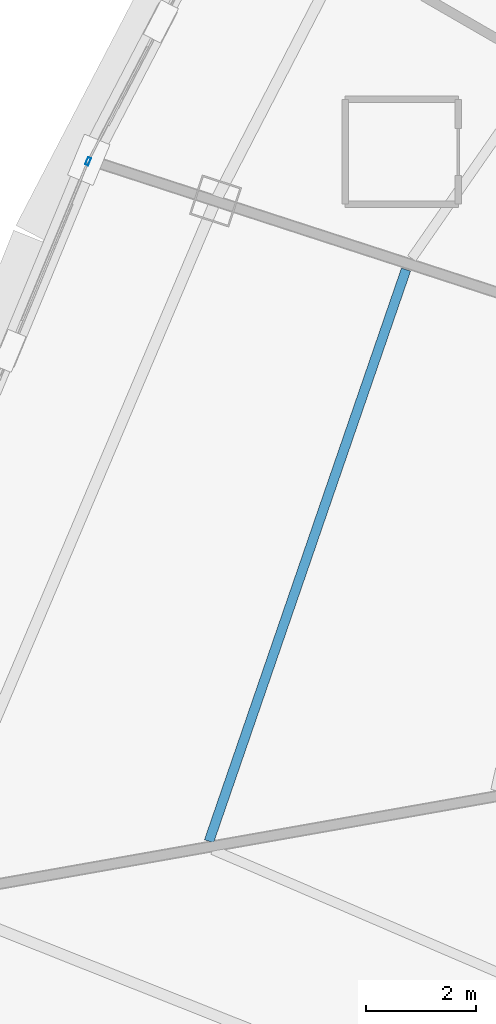
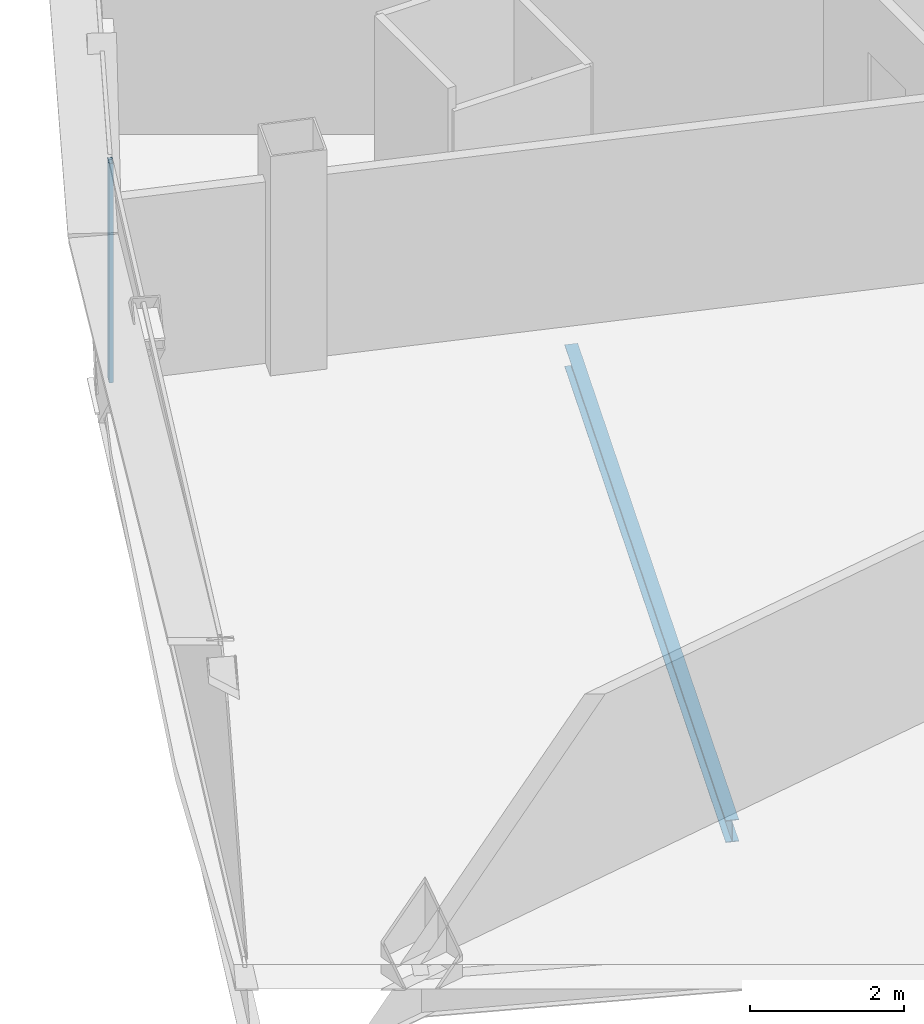
# One storey, part 8 of 40: 1 beam, 1 member, 1 element without a shape of its own.
"""IFC4 building model written with IfcOpenShell, lengths in metres."""

from ifc_helpers import new_model, si_unit, direction, frame, origin, origin_2d, place, context, subcontext, project, spatial, hollow_rectangle, i_section, extrude, source, transform, mapped, material, layer, layer_set, material_profile, profile_set, type_object, element, aggregate, save


model = new_model("IFC4")

# Units and contexts
model_context = context("Model", 3, precision=1e-05, world=origin(), true_north=direction((0.0, 1.0)))
body_context = subcontext(model_context, "Body", "Model", "MODEL_VIEW")
ifc_project = project(units=[si_unit("LENGTHUNIT", "METRE"), si_unit("AREAUNIT", "SQUARE_METRE"), si_unit("VOLUMEUNIT", "CUBIC_METRE"), si_unit("PLANEANGLEUNIT", "RADIAN"), si_unit("MASSUNIT", "GRAM", prefix="KILO"), si_unit("THERMODYNAMICTEMPERATUREUNIT", "KELVIN"), si_unit("POWERUNIT", "WATT")], contexts=[model_context])

# Site, building, storey
site_placement = place(None, origin())
site = spatial("IfcSite", under=ifc_project, at=site_placement, CompositionType="ELEMENT")
building_placement = place(site_placement, origin())
building = spatial("IfcBuilding", under=site, at=building_placement, Name="Yunzhuo Pagoda Commons", CompositionType="ELEMENT")
storey_placement = place(building_placement, frame((0.0, 0.0, 288.75)))
storey = spatial("IfcBuildingStorey", under=building, at=storey_placement, Name="L72", CompositionType="ELEMENT", Elevation=288.75)

# Beam
ifc_material_1 = material(Name="Structural steel Q355B", Category="steel")
ifc_material_profile_1 = material_profile(ifc_material_1, i_section(OverallWidth=0.175048828125, OverallDepth=0.35009765625, WebThickness=0.007080078125, FlangeThickness=0.010986328125, at=origin_2d()), Name="Structural steel Q355B")
ifc_profile_set_1 = profile_set([ifc_material_profile_1], Name="Structural steel Q355B")
beam_type = type_object("IfcBeamType", Name="B-JS2 Joist HN 350x175x7x11", PredefinedType="JOIST", material=ifc_profile_set_1)
shared_shape_1 = source(origin(), body_context, "Body", "SweptSolid", [
    extrude(i_section(OverallWidth=0.175048828125, OverallDepth=0.35009765625, WebThickness=0.007080078125, FlangeThickness=0.010986328125, at=origin_2d()), origin(), (0.0, 0.0, 1.0), 10.954345703125),
])
beam_placement = place(storey_placement, frame((28.14892578125, 40.029052734375, -0.43505859375), z_axis=(-0.325839571137, -0.945425075763, 0.0), x_axis=(0.945425075763, -0.325839571137, 0.0)))
element("IfcBeam", 1, at=beam_placement, inside=storey, type_object=beam_type, Name="L72 composite ring joist 2.11", PredefinedType="JOIST", context=body_context, shape_type="MappedRepresentation", body=[
    mapped(shared_shape_1, transform((0.0, 0.0, 0.0), scale=1.0)),
])

# Curtain wall, member
ifc_material_2 = material(Name="Anodized aluminium 6063-T6", Category="aluminium")
ifc_layer = layer(ifc_material_2, 0.139892578125)
ifc_layer_set = layer_set([ifc_layer], Name="Anodized aluminium 6063-T6")
curtain_wall_type = type_object("IfcCurtainWallType", Name="CW-HI High-Zone Ribbon Curtain Wall", PredefinedType="NOTDEFINED", material=ifc_layer_set)
curtain_wall_placement = place(storey_placement, origin())
curtain_wall = element("IfcCurtainWall", 2, at=curtain_wall_placement, inside=storey, type_object=curtain_wall_type, Name="L72 curtain wall CW-L72-F3B4", PredefinedType="NOTDEFINED")
ifc_material_profile_2 = material_profile(ifc_material_2, hollow_rectangle(XDim=0.06005859375, YDim=0.139892578125, WallThickness=0.00341796875, at=origin_2d()), Name="Anodized aluminium 6063-T6")
ifc_profile_set_2 = profile_set([ifc_material_profile_2], Name="Anodized aluminium 6063-T6")
member_type = type_object("IfcMemberType", Name="CW-HI-M Mullion RHS 140x60x3.5", PredefinedType="MULLION", material=ifc_profile_set_2)
shared_shape_2 = source(origin(), body_context, "Body", "SweptSolid", [
    extrude(hollow_rectangle(XDim=0.06005859375, YDim=0.139892578125, WallThickness=0.00341796875, at=origin_2d()), origin(), (0.0, 0.0, 1.0), 3.469970703125),
])
member_placement = place(storey_placement, frame((22.389404296875, 41.989990234375, 0.0), z_axis=(0.0, 0.0, 1.0), x_axis=(0.923899046183, -0.382636318796, 0.0)))
member = element("IfcMember", 3, at=member_placement, type_object=member_type, Name="CW mullion 1", PredefinedType="MULLION", context=body_context, shape_type="MappedRepresentation", body=[
    mapped(shared_shape_2, transform((0.0, 0.0, 0.0), scale=1.0)),
])
aggregate(curtain_wall, [member])

save(model, "model.ifc")
